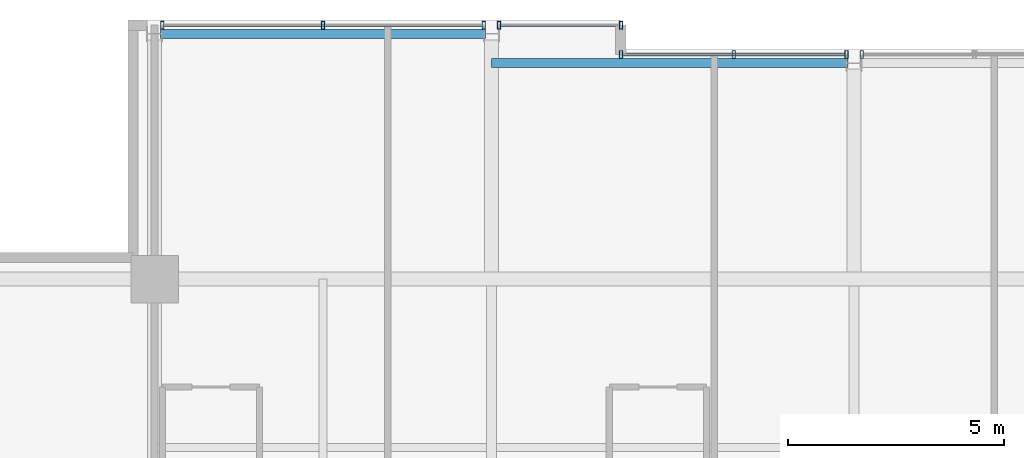
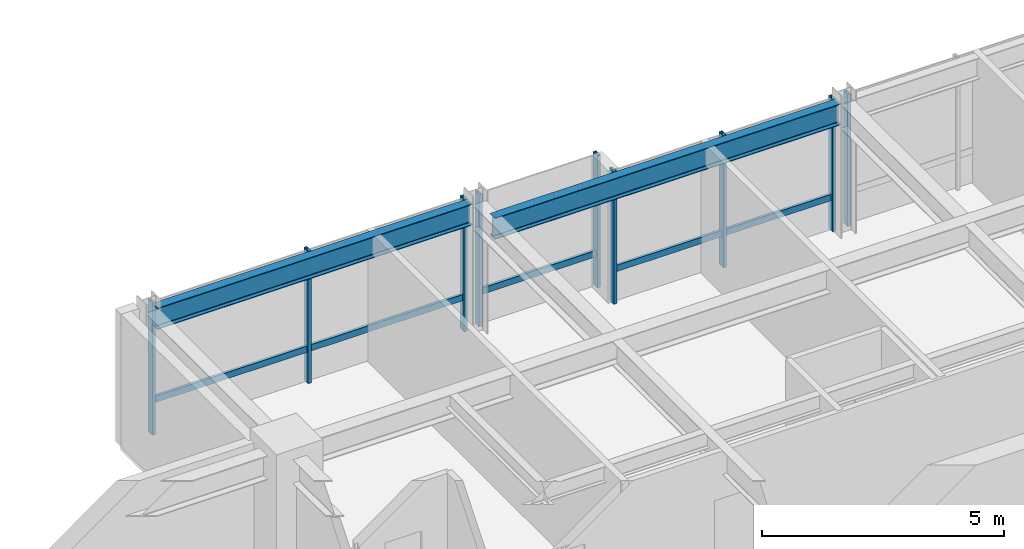
# One storey, part 20 of 32: 12 members, 2 beams, 4 elements without a shape of their own.
"""IFC4 building model written with IfcOpenShell, lengths in metres."""

from ifc_helpers import new_model, si_unit, direction, frame, origin, origin_2d, place, context, subcontext, project, spatial, hollow_rectangle, i_section, extrude, material, layer, layer_set, material_profile, profile_set, type_object, element, aggregate, save


model = new_model("IFC4")

# Units and contexts
model_context = context("Model", 3, precision=1e-05, world=origin(), true_north=direction((0.0, 1.0)))
body_context = subcontext(model_context, "Body", "Model", "MODEL_VIEW")
ifc_project = project(units=[si_unit("LENGTHUNIT", "METRE"), si_unit("AREAUNIT", "SQUARE_METRE"), si_unit("VOLUMEUNIT", "CUBIC_METRE"), si_unit("PLANEANGLEUNIT", "RADIAN"), si_unit("MASSUNIT", "GRAM", prefix="KILO")], contexts=[model_context])

# Site, building, storey
site_placement = place(None, origin())
site = spatial("IfcSite", under=ifc_project, at=site_placement, CompositionType="ELEMENT")
building_placement = place(site_placement, origin())
building = spatial("IfcBuilding", under=site, at=building_placement, Name="Drelvath Grand Hotel", CompositionType="ELEMENT")
storey_placement = place(building_placement, frame((0.0, 0.0, 241.10009765625)))
storey = spatial("IfcBuildingStorey", under=building, at=storey_placement, Name="L63", CompositionType="ELEMENT", Elevation=241.10009765625)

# Curtain wall, member
ifc_material_1 = material(Name="Platinum-Mist Anodised Aluminium Frame", Category="aluminium")
ifc_layer = layer(ifc_material_1, 0.199951171875)
ifc_layer_set = layer_set([ifc_layer], Name="Platinum-Mist Anodised Aluminium Frame")
curtain_wall_type = type_object("IfcCurtainWallType", Name="Stick Curtain Wall CW-05 Platinum Mist High-Rise", PredefinedType="NOTDEFINED", material=ifc_layer_set)
curtain_wall_1_placement = place(storey_placement, origin())
curtain_wall_1 = element("IfcCurtainWall", 1, at=curtain_wall_1_placement, inside=storey, type_object=curtain_wall_type, Name="L63 CW-05 Curtain Wall CW05-L63-NW2", PredefinedType="NOTDEFINED")
ifc_material_profile_1 = material_profile(ifc_material_1, hollow_rectangle(XDim=0.06494140625, YDim=0.159912109375, WallThickness=0.00390625, at=origin_2d()), Name="HSS160X65X4")
ifc_profile_set_1 = profile_set([ifc_material_profile_1], Name="Platinum-Mist Anodised Aluminium Frame")
member_type_1 = type_object("IfcMemberType", Name="Curtain Wall Horizontal Transom CW-05 HSS160X65X4", PredefinedType="USERDEFINED", material=ifc_profile_set_1)
member_1_placement = place(storey_placement, frame((-15.981689453125, 49.080078125, 0.8349609375), z_axis=(1.0, 0.0, 0.0), x_axis=(0.0, 1.0, 0.0)))
member_1 = element("IfcMember", 2, at=member_1_placement, type_object=member_type_1, Name="CW05-L63-NW2 Sill Transom", ObjectType="TRANSOM", PredefinedType="USERDEFINED", context=body_context, shape_type="SweptSolid", body=[
    extrude(hollow_rectangle(XDim=0.06494140625, YDim=0.159912109375, WallThickness=0.00390625, at=origin_2d()), origin(), (0.0, 0.0, 1.0), 7.363525390625),
])

curtain_wall_2_placement = place(storey_placement, origin())
curtain_wall_2 = element("IfcCurtainWall", 3, at=curtain_wall_2_placement, inside=storey, type_object=curtain_wall_type, Name="L63 CW-05 Curtain Wall CW05-L63-NW3", PredefinedType="NOTDEFINED")
member_2_placement = place(storey_placement, frame((-8.181884765625, 49.080078125, 0.8349609375), z_axis=(1.0, 0.0, 0.0), x_axis=(0.0, 1.0, 0.0)))
member_2 = element("IfcMember", 4, at=member_2_placement, type_object=member_type_1, Name="CW05-L63-NW3 Sill Transom", ObjectType="TRANSOM", PredefinedType="USERDEFINED", context=body_context, shape_type="SweptSolid", body=[
    extrude(hollow_rectangle(XDim=0.06494140625, YDim=0.159912109375, WallThickness=0.00390625, at=origin_2d()), origin(), (0.0, 0.0, 1.0), 2.741943359375),
])

curtain_wall_3_placement = place(storey_placement, origin())
curtain_wall_3 = element("IfcCurtainWall", 5, at=curtain_wall_3_placement, inside=storey, type_object=curtain_wall_type, Name="L63 CW-05 Curtain Wall CW05-L63-NM1", PredefinedType="NOTDEFINED")
member_3_placement = place(storey_placement, frame((-5.360107421875, 48.39990234375, 0.8349609375), z_axis=(1.0, 0.0, 0.0), x_axis=(0.0, 1.0, 0.0)))
member_3 = element("IfcMember", 6, at=member_3_placement, type_object=member_type_1, Name="CW05-L63-NM1 Sill Transom", ObjectType="TRANSOM", PredefinedType="USERDEFINED", context=body_context, shape_type="SweptSolid", body=[
    extrude(hollow_rectangle(XDim=0.06494140625, YDim=0.159912109375, WallThickness=0.00390625, at=origin_2d()), origin(), (0.0, 0.0, 1.0), 5.141845703125),
])

# Member
ifc_material_profile_2 = material_profile(ifc_material_1, hollow_rectangle(XDim=0.074951171875, YDim=0.179931640625, WallThickness=0.0048828125, at=origin_2d()), Name="HSS180X75X5")
ifc_profile_set_2 = profile_set([ifc_material_profile_2], Name="Platinum-Mist Anodised Aluminium Frame")
member_type_2 = type_object("IfcMemberType", Name="Curtain Wall Vertical Mullion CW-05 HSS180X75X5", PredefinedType="MULLION", material=ifc_profile_set_2)
member_4_placement = place(storey_placement, frame((-16.021728515625, 49.080078125, 0.0), z_axis=(0.0, 0.0, 1.0), x_axis=(1.0, 0.0, 0.0)))
member_4 = element("IfcMember", 7, at=member_4_placement, type_object=member_type_2, Name="CW05-L63-NW2 Mullion 1", PredefinedType="MULLION", context=body_context, shape_type="SweptSolid", body=[
    extrude(hollow_rectangle(XDim=0.074951171875, YDim=0.179931640625, WallThickness=0.0048828125, at=origin_2d()), origin(), (0.0, 0.0, 1.0), 3.33984375),
])

member_5_placement = place(storey_placement, frame((-12.300048828125, 49.080078125, 0.0), z_axis=(0.0, 0.0, 1.0), x_axis=(1.0, 0.0, 0.0)))
member_5 = element("IfcMember", 8, at=member_5_placement, type_object=member_type_2, Name="CW05-L63-NW2 Mullion 2", PredefinedType="MULLION", context=body_context, shape_type="SweptSolid", body=[
    extrude(hollow_rectangle(XDim=0.074951171875, YDim=0.179931640625, WallThickness=0.0048828125, at=origin_2d()), origin(), (0.0, 0.0, 1.0), 3.33984375),
])

member_6_placement = place(storey_placement, frame((-8.578125, 49.080078125, 0.0), z_axis=(0.0, 0.0, 1.0), x_axis=(1.0, 0.0, 0.0)))
member_6 = element("IfcMember", 9, at=member_6_placement, type_object=member_type_2, Name="CW05-L63-NW2 Mullion 3", PredefinedType="MULLION", context=body_context, shape_type="SweptSolid", body=[
    extrude(hollow_rectangle(XDim=0.074951171875, YDim=0.179931640625, WallThickness=0.0048828125, at=origin_2d()), origin(), (0.0, 0.0, 1.0), 3.33984375),
])

aggregate(curtain_wall_1, [member_4, member_5, member_6, member_1])

member_7_placement = place(storey_placement, frame((-8.2216796875, 49.080078125, 0.0), z_axis=(0.0, 0.0, 1.0), x_axis=(1.0, 0.0, 0.0)))
member_7 = element("IfcMember", 10, at=member_7_placement, type_object=member_type_2, Name="CW05-L63-NW3 Mullion 1", PredefinedType="MULLION", context=body_context, shape_type="SweptSolid", body=[
    extrude(hollow_rectangle(XDim=0.074951171875, YDim=0.179931640625, WallThickness=0.0048828125, at=origin_2d()), origin(), (0.0, 0.0, 1.0), 3.33984375),
])

member_8_placement = place(storey_placement, frame((-5.39990234375, 49.080078125, 0.0), z_axis=(0.0, 0.0, 1.0), x_axis=(1.0, 0.0, 0.0)))
member_8 = element("IfcMember", 11, at=member_8_placement, type_object=member_type_2, Name="CW05-L63-NW3 Mullion 2", PredefinedType="MULLION", context=body_context, shape_type="SweptSolid", body=[
    extrude(hollow_rectangle(XDim=0.074951171875, YDim=0.179931640625, WallThickness=0.0048828125, at=origin_2d()), origin(), (0.0, 0.0, 1.0), 3.33984375),
])

aggregate(curtain_wall_2, [member_7, member_8, member_2])

member_9_placement = place(storey_placement, frame((-5.39990234375, 48.39990234375, 0.0), z_axis=(0.0, 0.0, 1.0), x_axis=(1.0, 0.0, 0.0)))
member_9 = element("IfcMember", 12, at=member_9_placement, type_object=member_type_2, Name="CW05-L63-NM1 Mullion 1", PredefinedType="MULLION", context=body_context, shape_type="SweptSolid", body=[
    extrude(hollow_rectangle(XDim=0.074951171875, YDim=0.179931640625, WallThickness=0.0048828125, at=origin_2d()), origin(), (0.0, 0.0, 1.0), 3.33984375),
])

member_10_placement = place(storey_placement, frame((-2.7890625, 48.39990234375, 0.0), z_axis=(0.0, 0.0, 1.0), x_axis=(1.0, 0.0, 0.0)))
member_10 = element("IfcMember", 13, at=member_10_placement, type_object=member_type_2, Name="CW05-L63-NM1 Mullion 2", PredefinedType="MULLION", context=body_context, shape_type="SweptSolid", body=[
    extrude(hollow_rectangle(XDim=0.074951171875, YDim=0.179931640625, WallThickness=0.0048828125, at=origin_2d()), origin(), (0.0, 0.0, 1.0), 3.33984375),
])

member_11_placement = place(storey_placement, frame((-0.17822265625, 48.39990234375, 0.0), z_axis=(0.0, 0.0, 1.0), x_axis=(1.0, 0.0, 0.0)))
member_11 = element("IfcMember", 14, at=member_11_placement, type_object=member_type_2, Name="CW05-L63-NM1 Mullion 3", PredefinedType="MULLION", context=body_context, shape_type="SweptSolid", body=[
    extrude(hollow_rectangle(XDim=0.074951171875, YDim=0.179931640625, WallThickness=0.0048828125, at=origin_2d()), origin(), (0.0, 0.0, 1.0), 3.33984375),
])

aggregate(curtain_wall_3, [member_9, member_10, member_11, member_3])

# Curtain wall, member
curtain_wall_4_placement = place(storey_placement, origin())
curtain_wall_4 = element("IfcCurtainWall", 15, at=curtain_wall_4_placement, inside=storey, type_object=curtain_wall_type, Name="L63 CW-05 Curtain Wall CW05-L63-NM2", PredefinedType="NOTDEFINED")
member_12_placement = place(storey_placement, frame((0.17822265625, 48.39990234375, 0.0), z_axis=(0.0, 0.0, 1.0), x_axis=(1.0, 0.0, 0.0)))
member_12 = element("IfcMember", 16, at=member_12_placement, type_object=member_type_2, Name="CW05-L63-NM2 Mullion 1", PredefinedType="MULLION", context=body_context, shape_type="SweptSolid", body=[
    extrude(hollow_rectangle(XDim=0.074951171875, YDim=0.179931640625, WallThickness=0.0048828125, at=origin_2d()), origin(), (0.0, 0.0, 1.0), 3.33984375),
])
aggregate(curtain_wall_4, [member_12])

# Beams
ifc_material_2 = material(Name="Steel ASTM A992 Gr 50", Category="steel")
ifc_material_profile_3 = material_profile(ifc_material_2, i_section(OverallWidth=0.210205078125, OverallDepth=0.53662109375, WebThickness=0.010986328125, FlangeThickness=0.017333984375, FilletRadius=0.01806640625, at=origin_2d()), Name="W21X68")
ifc_profile_set_3 = profile_set([ifc_material_profile_3], Name="Steel ASTM A992 Gr 50")
beam_type = type_object("IfcBeamType", Name="Perimeter Spandrel Beam W21X68", PredefinedType="SPANDREL", material=ifc_profile_set_3)
beam_1_placement = place(storey_placement, frame((-16.06005859375, 48.8798828125, 3.071533203125), z_axis=(1.0, 0.0, 0.0), x_axis=(0.0, 1.0, 0.0)))
element("IfcBeam", 17, at=beam_1_placement, inside=storey, type_object=beam_type, Name="L63 Spandrel North W", PredefinedType="SPANDREL", context=body_context, shape_type="SweptSolid", body=[
    extrude(i_section(OverallWidth=0.210205078125, OverallDepth=0.53662109375, WebThickness=0.010986328125, FlangeThickness=0.017333984375, FilletRadius=0.01806640625, at=origin_2d()), origin(), (0.0, 0.0, 1.0), 7.52001953125),
])
beam_2_placement = place(storey_placement, frame((-8.39990234375, 48.199951171875, 3.071533203125), z_axis=(1.0, 0.0, 0.0), x_axis=(0.0, 1.0, 0.0)))
element("IfcBeam", 18, at=beam_2_placement, inside=storey, type_object=beam_type, Name="L63 Spandrel North Mid W", PredefinedType="SPANDREL", context=body_context, shape_type="SweptSolid", body=[
    extrude(i_section(OverallWidth=0.210205078125, OverallDepth=0.53662109375, WebThickness=0.010986328125, FlangeThickness=0.017333984375, FilletRadius=0.01806640625, at=origin_2d()), origin(), (0.0, 0.0, 1.0), 8.260009765625),
])

save(model, "model.ifc")
